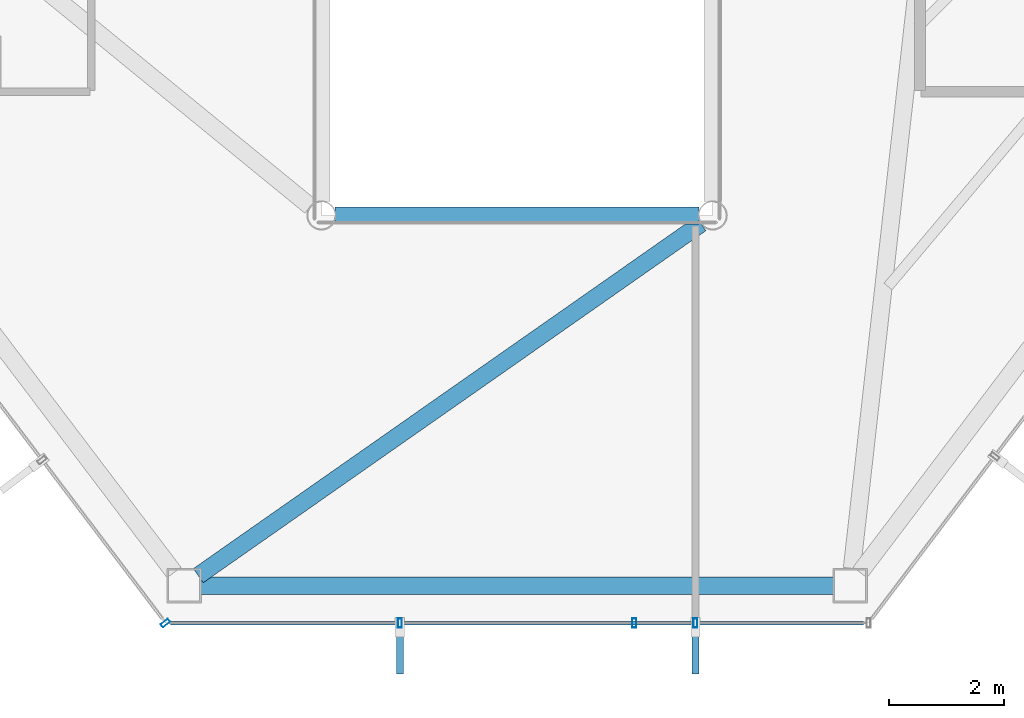
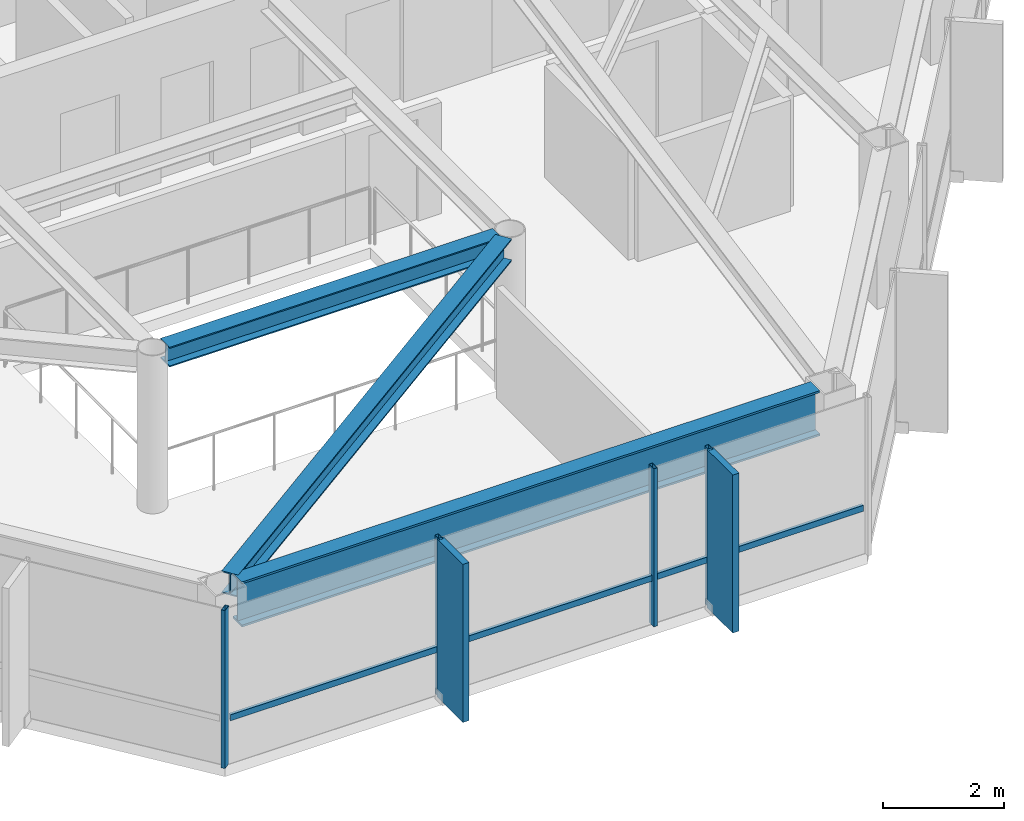
# One storey, part 7 of 28: 7 members, 3 beams, 2 elements without a shape of their own.
"""IFC4 building model written with IfcOpenShell, lengths in metres."""

from ifc_helpers import new_model, si_unit, direction, frame, origin, origin_2d, place, context, subcontext, project, spatial, rectangle, hollow_rectangle, i_section, extrude, material, layer, layer_set, material_profile, profile_set, type_object, element, aggregate, save


model = new_model("IFC4")

# Units and contexts
model_context = context("Model", 3, precision=1e-05, world=origin(), true_north=direction((0.0, 1.0)))
body_context = subcontext(model_context, "Body", "Model", "MODEL_VIEW")
ifc_project = project(units=[si_unit("LENGTHUNIT", "METRE"), si_unit("AREAUNIT", "SQUARE_METRE"), si_unit("VOLUMEUNIT", "CUBIC_METRE"), si_unit("PLANEANGLEUNIT", "RADIAN"), si_unit("MASSUNIT", "GRAM", prefix="KILO")], contexts=[model_context])

# Site, building, storey
site_placement = place(None, origin())
site = spatial("IfcSite", under=ifc_project, at=site_placement, CompositionType="ELEMENT")
building_placement = place(site_placement, origin())
building = spatial("IfcBuilding", under=site, at=building_placement, Name="Zarrinselat Tower", CompositionType="ELEMENT")
storey_placement = place(building_placement, frame((0.0, 0.0, 218.9599609375)))
storey = spatial("IfcBuildingStorey", under=building, at=storey_placement, Name="L54", CompositionType="ELEMENT", Elevation=218.9599609375)

# Beams
ifc_material_1 = material(Name="Steel S355J2", Category="steel")
ifc_material_profile_1 = material_profile(ifc_material_1, i_section(OverallWidth=0.300048828125, OverallDepth=0.39990234375, WebThickness=0.013427734375, FlangeThickness=0.02392578125, at=origin_2d()), Name="HEB 400")
ifc_profile_set_1 = profile_set([ifc_material_profile_1], Name="Steel S355J2")
beam_type_1 = type_object("IfcBeamType", Name="BM-HEB400", PredefinedType="BEAM", material=ifc_profile_set_1)
beam_1_placement = place(storey_placement, frame((35.239990234375, 25.199951171875, 2.97998046875), z_axis=(1.0, 0.0, 0.0), x_axis=(0.0, 1.0, 0.0)))
element("IfcBeam", 1, at=beam_1_placement, inside=storey, type_object=beam_type_1, Name="L54 Atrium Edge Beam S", PredefinedType="BEAM", context=body_context, shape_type="SweptSolid", body=[
    extrude(i_section(OverallWidth=0.300048828125, OverallDepth=0.39990234375, WebThickness=0.013427734375, FlangeThickness=0.02392578125, at=origin_2d()), origin(), (0.0, 0.0, 1.0), 6.320068359375),
])
ifc_material_2 = material(Name="Steel S355J2", Category="steel")
ifc_material_profile_2 = material_profile(ifc_material_2, i_section(OverallWidth=0.300048828125, OverallDepth=0.449951171875, WebThickness=0.013916015625, FlangeThickness=0.02587890625, at=origin_2d()), Name="HEB 450")
ifc_profile_set_2 = profile_set([ifc_material_profile_2], Name="Steel S355J2")
beam_type_2 = type_object("IfcBeamType", Name="BM-HEB450", PredefinedType="BEAM", material=ifc_profile_set_2)
beam_2_placement = place(storey_placement, frame((32.860107421875, 18.93994140625, 2.955078125), z_axis=(0.819138334561, 0.573596015374, 0.0), x_axis=(-0.573596015374, 0.819138334561, 0.0)))
element("IfcBeam", 2, at=beam_2_placement, inside=storey, type_object=beam_type_2, Name="L54 Radial Primary Girder RG10", PredefinedType="BEAM", context=body_context, shape_type="SweptSolid", body=[
    extrude(i_section(OverallWidth=0.300048828125, OverallDepth=0.449951171875, WebThickness=0.013916015625, FlangeThickness=0.02587890625, at=origin_2d()), origin(), (0.0, 0.0, 1.0), 10.663818359375),
])
ifc_material_3 = material(Name="Steel S460M", Category="steel")
ifc_material_profile_3 = material_profile(ifc_material_3, i_section(OverallWidth=0.302001953125, OverallDepth=0.909912109375, WebThickness=0.02099609375, FlangeThickness=0.0400390625, at=origin_2d()), Name="HEM 900")
ifc_profile_set_3 = profile_set([ifc_material_profile_3], Name="Steel S460M")
beam_type_3 = type_object("IfcBeamType", Name="BM-HEM900", PredefinedType="BEAM", material=ifc_profile_set_3)
beam_3_placement = place(storey_placement, frame((32.90087890625, 18.7666015625, 2.72509765625), z_axis=(1.0, 0.0, 0.0), x_axis=(0.0, 1.0, 0.0)))
element("IfcBeam", 3, at=beam_3_placement, inside=storey, type_object=beam_type_3, Name="L54 Perimeter Spandrel Girder SP10", PredefinedType="BEAM", context=body_context, shape_type="SweptSolid", body=[
    extrude(i_section(OverallWidth=0.302001953125, OverallDepth=0.909912109375, WebThickness=0.02099609375, FlangeThickness=0.0400390625, at=origin_2d()), origin(), (0.0, 0.0, 1.0), 10.998291015625),
])

# Curtain wall, member
ifc_material_4 = material(Name="Extruded Aluminium Alloy EN AW-6063 T6", Category="aluminium")
ifc_layer = layer(ifc_material_4, 0.169921875)
ifc_layer_set = layer_set([ifc_layer], Name="Extruded Aluminium Alloy EN AW-6063 T6")
curtain_wall_type = type_object("IfcCurtainWallType", Name="CWS-RES", PredefinedType="NOTDEFINED", material=ifc_layer_set)
curtain_wall_1_placement = place(storey_placement, origin())
curtain_wall_1 = element("IfcCurtainWall", 4, at=curtain_wall_1_placement, inside=storey, type_object=curtain_wall_type, Name="L54 Unitised Curtain Wall CW-L54-E03", PredefinedType="NOTDEFINED")
ifc_material_5 = material(Name="Extruded Aluminium Alloy EN AW-6063 T6", Category="aluminium")
ifc_material_profile_4 = material_profile(ifc_material_5, hollow_rectangle(XDim=0.070068359375, YDim=0.159912109375, WallThickness=0.00390625, at=origin_2d()), Name="RHS 160x70x4")
ifc_profile_set_4 = profile_set([ifc_material_profile_4], Name="Extruded Aluminium Alloy EN AW-6063 T6")
member_type_1 = type_object("IfcMemberType", Name="MEM-CW-MUL2", PredefinedType="MULLION", material=ifc_profile_set_4)
member_1_placement = place(storey_placement, frame((32.289794921875, 18.11669921875, 0.0), z_axis=(0.0, 0.0, 1.0), x_axis=(0.603859787908, -0.797090557307, 0.0)))
member_1 = element("IfcMember", 5, at=member_1_placement, type_object=member_type_1, Name="CW-L54-E03 Mullion 8", PredefinedType="MULLION", context=body_context, shape_type="SweptSolid", body=[
    extrude(hollow_rectangle(XDim=0.070068359375, YDim=0.159912109375, WallThickness=0.00390625, at=origin_2d()), origin(), (0.0, 0.0, 1.0), 3.179931640625),
])
aggregate(curtain_wall_1, [member_1])

# Curtain wall, members
curtain_wall_2_placement = place(storey_placement, origin())
curtain_wall_2 = element("IfcCurtainWall", 6, at=curtain_wall_2_placement, inside=storey, type_object=curtain_wall_type, Name="L54 Unitised Curtain Wall CW-L54-E04", PredefinedType="NOTDEFINED")
member_2_placement = place(storey_placement, frame((36.36328125, 18.11669921875, 0.0), z_axis=(0.0, 0.0, 1.0), x_axis=(1.0, 0.0, 0.0)))
member_2 = element("IfcMember", 7, at=member_2_placement, type_object=member_type_1, Name="CW-L54-E04 Mullion 1", PredefinedType="MULLION", context=body_context, shape_type="SweptSolid", body=[
    extrude(hollow_rectangle(XDim=0.070068359375, YDim=0.159912109375, WallThickness=0.00390625, at=origin_2d()), origin(), (0.0, 0.0, 1.0), 3.179931640625),
])
member_3_placement = place(storey_placement, frame((40.436767578125, 18.11669921875, 0.0), z_axis=(0.0, 0.0, 1.0), x_axis=(1.0, 0.0, 0.0)))
member_3 = element("IfcMember", 8, at=member_3_placement, type_object=member_type_1, Name="CW-L54-E04 Mullion 2", PredefinedType="MULLION", context=body_context, shape_type="SweptSolid", body=[
    extrude(hollow_rectangle(XDim=0.070068359375, YDim=0.159912109375, WallThickness=0.00390625, at=origin_2d()), origin(), (0.0, 0.0, 1.0), 3.179931640625),
])
member_4_placement = place(storey_placement, frame((41.5, 18.11669921875, 0.0), z_axis=(0.0, 0.0, 1.0), x_axis=(1.0, 0.0, 0.0)))
member_4 = element("IfcMember", 9, at=member_4_placement, type_object=member_type_1, Name="CW-L54-E04 Mullion 3", PredefinedType="MULLION", context=body_context, shape_type="SweptSolid", body=[
    extrude(hollow_rectangle(XDim=0.070068359375, YDim=0.159912109375, WallThickness=0.00390625, at=origin_2d()), origin(), (0.0, 0.0, 1.0), 3.179931640625),
])
ifc_material_6 = material(Name="Extruded Aluminium Alloy EN AW-6063 T6", Category="aluminium")
ifc_material_profile_5 = material_profile(ifc_material_6, hollow_rectangle(XDim=0.06005859375, YDim=0.1201171875, WallThickness=0.00390625, at=origin_2d()), Name="RHS 120x60x4")
ifc_profile_set_5 = profile_set([ifc_material_profile_5], Name="Extruded Aluminium Alloy EN AW-6063 T6")
member_type_2 = type_object("IfcMemberType", Name="MEM-CW-TRN2", PredefinedType="USERDEFINED", material=ifc_profile_set_5)
member_5_placement = place(storey_placement, frame((32.3798828125, 18.11669921875, 0.949951171875), z_axis=(1.0, 0.0, 0.0), x_axis=(0.0, 1.0, 0.0)))
member_5 = element("IfcMember", 10, at=member_5_placement, type_object=member_type_2, Name="CW-L54-E04 Transom 1", ObjectType="TRANSOM", PredefinedType="USERDEFINED", context=body_context, shape_type="SweptSolid", body=[
    extrude(hollow_rectangle(XDim=0.06005859375, YDim=0.1201171875, WallThickness=0.00390625, at=origin_2d()), origin(), (0.0, 0.0, 1.0), 12.040283203125),
])
ifc_material_7 = material(Name="Honed Cream Travertine Stone", Category="masonry")
ifc_material_profile_6 = material_profile(ifc_material_7, rectangle(XDim=0.1201171875, YDim=0.85009765625, at=origin_2d()), Name="FIN 850x120")
ifc_profile_set_6 = profile_set([ifc_material_profile_6], Name="Honed Cream Travertine Stone")
member_type_3 = type_object("IfcMemberType", Name="MEM-STONE-FIN", PredefinedType="USERDEFINED", material=ifc_profile_set_6)
member_6_placement = place(storey_placement, frame((36.36328125, 17.65673828125, 0.0), z_axis=(0.0, 0.0, 1.0), x_axis=(-1.0, 0.0, 0.0)))
member_6 = element("IfcMember", 11, at=member_6_placement, type_object=member_type_3, Name="L54 Stone Shading Fin CW-L54-E04-01", ObjectType="FIN", PredefinedType="USERDEFINED", context=body_context, shape_type="SweptSolid", body=[
    extrude(rectangle(XDim=0.1201171875, YDim=0.85009765625, at=origin_2d()), origin(), (0.0, 0.0, 1.0), 3.179931640625),
])
member_7_placement = place(storey_placement, frame((41.5, 17.65673828125, 0.0), z_axis=(0.0, 0.0, 1.0), x_axis=(-1.0, 0.0, 0.0)))
member_7 = element("IfcMember", 12, at=member_7_placement, type_object=member_type_3, Name="L54 Stone Shading Fin CW-L54-E04-03", ObjectType="FIN", PredefinedType="USERDEFINED", context=body_context, shape_type="SweptSolid", body=[
    extrude(rectangle(XDim=0.1201171875, YDim=0.85009765625, at=origin_2d()), origin(), (0.0, 0.0, 1.0), 3.179931640625),
])
aggregate(curtain_wall_2, [member_2, member_6, member_3, member_4, member_7, member_5])

save(model, "model.ifc")
